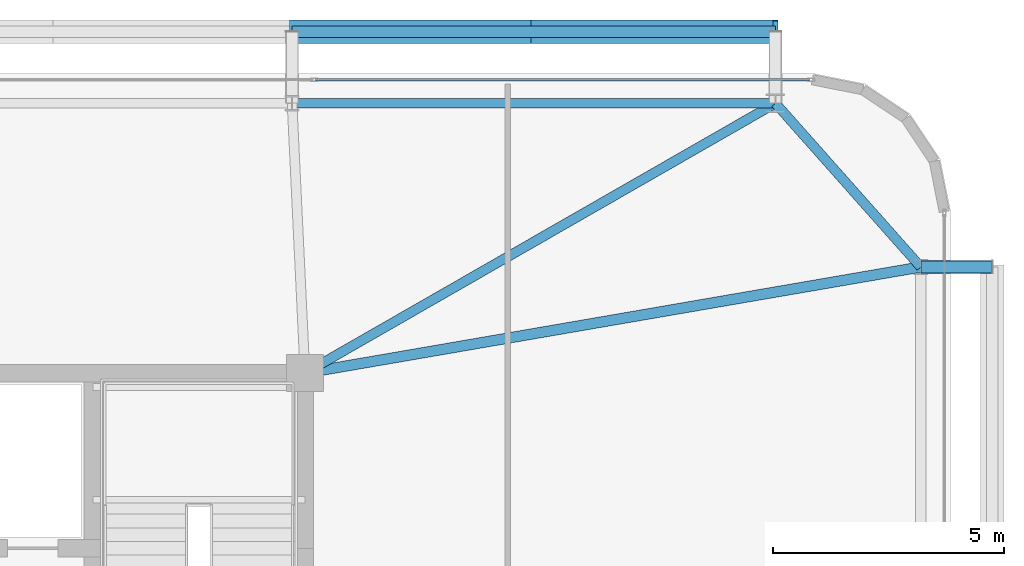
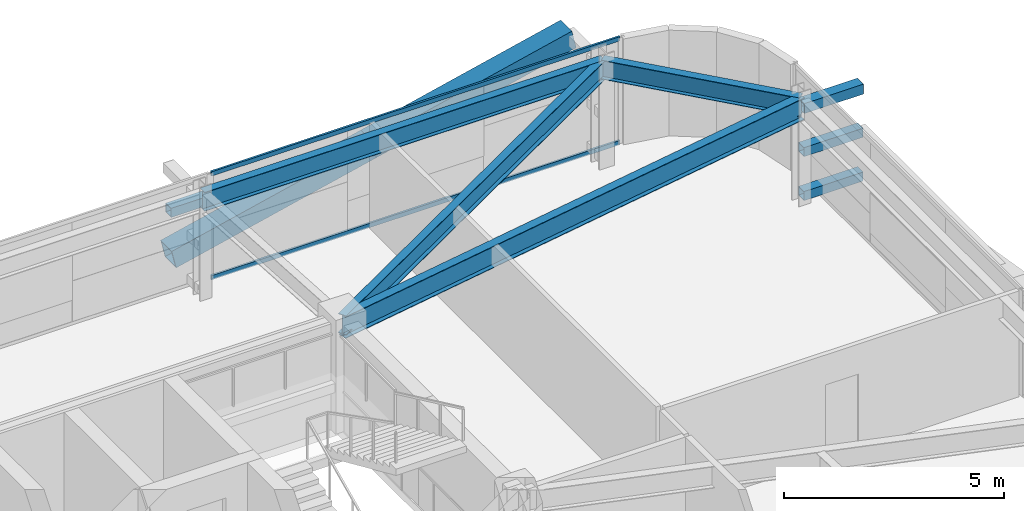
# One storey, part 27 of 44: 8 members, 4 beams, 1 element without a shape of its own.
"""IFC4 building model written with IfcOpenShell, lengths in metres."""

from ifc_helpers import new_model, si_unit, direction, frame, origin, origin_2d, place, context, subcontext, project, spatial, hollow_rectangle, i_section, extrude, source, transform, mapped, material, layer, layer_set, material_profile, profile_set, type_object, element, aggregate, save


model = new_model("IFC4")

# Units and contexts
model_context = context("Model", 3, precision=1e-05, world=origin(), true_north=direction((0.0, 1.0)))
body_context = subcontext(model_context, "Body", "Model", "MODEL_VIEW")
ifc_project = project(units=[si_unit("LENGTHUNIT", "METRE"), si_unit("AREAUNIT", "SQUARE_METRE"), si_unit("VOLUMEUNIT", "CUBIC_METRE"), si_unit("PLANEANGLEUNIT", "RADIAN"), si_unit("MASSUNIT", "GRAM", prefix="KILO")], contexts=[model_context])

# Site, building, storey
site_placement = place(None, origin())
site = spatial("IfcSite", under=ifc_project, at=site_placement, CompositionType="ELEMENT")
building_placement = place(site_placement, origin())
building = spatial("IfcBuilding", under=site, at=building_placement, Name="Taldren Reach Tower", CompositionType="ELEMENT")
storey_placement = place(building_placement, frame((0.0, 0.0, 42.0)))
storey = spatial("IfcBuildingStorey", under=building, at=storey_placement, Name="L12", CompositionType="ELEMENT", Elevation=42.0)

# Beams
ifc_material_1 = material(Name="Steel Gr 350 (350PLUS)", Category="steel")
ifc_material_profile_1 = material_profile(ifc_material_1, i_section(OverallWidth=0.208984375, OverallDepth=0.528076171875, WebThickness=0.009521484375, FlangeThickness=0.01318359375, at=origin_2d()), Name="530UB82.0")
ifc_profile_set_1 = profile_set([ifc_material_profile_1], Name="Steel Gr 350 (350PLUS)")
beam_type_1 = type_object("IfcBeamType", Name="SP-UB530B", PredefinedType="SPANDREL", material=ifc_profile_set_1)
shared_shape_1 = source(origin(), body_context, "Body", "SweptSolid", [
    extrude(i_section(OverallWidth=0.208984375, OverallDepth=0.528076171875, WebThickness=0.009521484375, FlangeThickness=0.01318359375, at=origin_2d()), origin(), (0.0, 0.0, 1.0), 10.47998046875),
])
beam_1_placement = place(storey_placement, frame((61.199951171875, 37.85009765625, 2.666015625), z_axis=(-1.0, 0.0, 0.0), x_axis=(0.0, -1.0, 0.0)))
element("IfcBeam", 1, at=beam_1_placement, inside=storey, type_object=beam_type_1, Name="Perimeter spandrel B1 N6-N5 L12", PredefinedType="SPANDREL", context=body_context, shape_type="MappedRepresentation", body=[
    mapped(shared_shape_1, transform((0.0, 0.0, 0.0), scale=1.0)),
])
shared_shape_2 = source(origin(), body_context, "Body", "SweptSolid", [
    extrude(i_section(OverallWidth=0.208984375, OverallDepth=0.528076171875, WebThickness=0.009521484375, FlangeThickness=0.01318359375, at=origin_2d()), origin(), (0.0, 0.0, 1.0), 4.74609375),
])
beam_2_placement = place(storey_placement, frame((64.35009765625, 34.300048828125, 2.666015625), z_axis=(-0.663721843779, 0.747979487747, 0.0), x_axis=(-0.747979487747, -0.663721843779, 0.0)))
element("IfcBeam", 2, at=beam_2_placement, inside=storey, type_object=beam_type_1, Name="Perimeter spandrel B1 E3-N6 L12", PredefinedType="SPANDREL", context=body_context, shape_type="MappedRepresentation", body=[
    mapped(shared_shape_2, transform((0.0, 0.0, 0.0), scale=1.0)),
])
ifc_material_profile_2 = material_profile(ifc_material_1, i_section(OverallWidth=0.22802734375, OverallDepth=0.60205078125, WebThickness=0.010498046875, FlangeThickness=0.014892578125, at=origin_2d()), Name="610UB101")
ifc_profile_set_2 = profile_set([ifc_material_profile_2], Name="Steel Gr 350 (350PLUS)")
beam_type_2 = type_object("IfcBeamType", Name="BM-UB610B", PredefinedType="BEAM", material=ifc_profile_set_2)
shared_shape_3 = source(origin(), body_context, "Body", "SweptSolid", [
    extrude(i_section(OverallWidth=0.22802734375, OverallDepth=0.60205078125, WebThickness=0.010498046875, FlangeThickness=0.014892578125, at=origin_2d()), origin(), (0.0, 0.0, 1.0), 13.546875),
])
beam_3_placement = place(storey_placement, frame((51.0, 32.0, 2.62890625), z_axis=(0.985481022998, 0.169785609847, 0.0), x_axis=(-0.169785609847, 0.985481022998, 0.0)))
element("IfcBeam", 3, at=beam_3_placement, inside=storey, type_object=beam_type_2, Name="Primary floor girder B1-E3 L12", PredefinedType="BEAM", context=body_context, shape_type="MappedRepresentation", body=[
    mapped(shared_shape_3, transform((0.0, 0.0, 0.0), scale=1.0)),
])
ifc_material_profile_3 = material_profile(ifc_material_1, i_section(OverallWidth=0.208984375, OverallDepth=0.532958984375, WebThickness=0.01025390625, FlangeThickness=0.015625, at=origin_2d()), Name="530UB92.4")
ifc_profile_set_3 = profile_set([ifc_material_profile_3], Name="Steel Gr 350 (350PLUS)")
beam_type_3 = type_object("IfcBeamType", Name="BM-UB530A", PredefinedType="BEAM", material=ifc_profile_set_3)
shared_shape_4 = source(origin(), body_context, "Body", "SweptSolid", [
    extrude(i_section(OverallWidth=0.208984375, OverallDepth=0.532958984375, WebThickness=0.01025390625, FlangeThickness=0.015625, at=origin_2d()), origin(), (0.0, 0.0, 1.0), 11.758544921875),
])
beam_4_placement = place(storey_placement, frame((51.0, 32.0, 2.66357421875), z_axis=(0.867452414141, 0.497520159593, 0.0), x_axis=(-0.497520159593, 0.867452414141, 0.0)))
element("IfcBeam", 4, at=beam_4_placement, inside=storey, type_object=beam_type_3, Name="Primary floor girder B1-N6 L12", PredefinedType="BEAM", context=body_context, shape_type="MappedRepresentation", body=[
    mapped(shared_shape_4, transform((0.0, 0.0, 0.0), scale=1.0)),
])

# Members
ifc_material_2 = material(Name="Steel Gr 450 (C450L0)", Category="steel")
ifc_material_profile_4 = material_profile(ifc_material_2, hollow_rectangle(XDim=0.27490234375, YDim=0.27490234375, WallThickness=0.00927734375, at=origin_2d()), Name="275x275x9.3SHS")
ifc_profile_set_4 = profile_set([ifc_material_profile_4], Name="Steel Gr 450 (C450L0)")
member_type_1 = type_object("IfcMemberType", Name="MB-TIE273", PredefinedType="STRUT", material=ifc_profile_set_4)
shared_shape_5 = source(origin(), body_context, "Body", "SweptSolid", [
    extrude(hollow_rectangle(XDim=0.27490234375, YDim=0.27490234375, WallThickness=0.00927734375, at=origin_2d()), origin(), (0.0, 0.0, 1.0), 1.5498046875),
])
member_1_placement = place(storey_placement, frame((64.35009765625, 34.300048828125, 2.64990234375), z_axis=(1.0, 0.0, 0.0), x_axis=(0.0, 1.0, 0.0)))
element("IfcMember", 5, at=member_1_placement, inside=storey, type_object=member_type_1, Name="Exoskeleton diaphragm tie strut B1-E3 L12", PredefinedType="STRUT", context=body_context, shape_type="MappedRepresentation", body=[
    mapped(shared_shape_5, transform((0.0, 0.0, 0.0), scale=1.0)),
])
ifc_material_profile_5 = material_profile(ifc_material_2, hollow_rectangle(XDim=0.510009765625, YDim=0.510009765625, WallThickness=0.02001953125, at=origin_2d()), Name="510x510x20.0SHS")
ifc_profile_set_5 = profile_set([ifc_material_profile_5], Name="Steel Gr 450 (C450L0)")
member_type_2 = type_object("IfcMemberType", Name="MB-EXO508", PredefinedType="BRACE", material=ifc_profile_set_5)
shared_shape_6 = source(origin(), body_context, "Body", "SweptSolid", [
    extrude(hollow_rectangle(XDim=0.510009765625, YDim=0.510009765625, WallThickness=0.02001953125, at=origin_2d()), origin(), (0.0, 0.0, 1.0), 5.37890625),
])
for number, where, z_axis, x_axis, name in (
    (6, (50.719970703125, 39.39990234375, 0.219970703125), (0.97415197996, 0.0, 0.225893603143), (0.0, 1.0, 0.0), "Exoskeleton Diagrid Brace B1-N5 L12"),
    (7, (55.9599609375, 39.39990234375, 1.43505859375), (0.974161966843, 0.0, 0.225850531007), (0.0, 1.0, 0.0), "Exoskeleton Diagrid Brace B1-N5 L12"),
):
    element("IfcMember", number, at=place(storey_placement, frame(where, z_axis=z_axis, x_axis=x_axis)), inside=storey, type_object=member_type_2, Name=name, PredefinedType="BRACE", context=body_context, shape_type="MappedRepresentation", body=[
        mapped(shared_shape_6, transform((0.0, 0.0, 0.0), scale=1.0)),
    ])
ifc_material_3 = material(Name="Steel Gr 350 (C350L0)", Category="steel")
ifc_material_profile_6 = material_profile(ifc_material_3, hollow_rectangle(XDim=0.25, YDim=0.25, WallThickness=0.010009765625, at=origin_2d()), Name="250x250x10.0SHS")
ifc_profile_set_6 = profile_set([ifc_material_profile_6], Name="Steel Gr 350 (C350L0)")
member_type_3 = type_object("IfcMemberType", Name="MB-POST250", PredefinedType="POST", material=ifc_profile_set_6)
shared_shape_7 = source(origin(), body_context, "Body", "SweptSolid", [
    extrude(hollow_rectangle(XDim=0.25, YDim=0.25, WallThickness=0.010009765625, at=origin_2d()), origin(), (0.0, 0.0, 1.0), 10.47998046875),
])
member_2_placement = place(storey_placement, frame((50.719970703125, 39.39990234375, 1.43505859375), z_axis=(1.0, 0.0, 0.0), x_axis=(0.0, 1.0, 0.0)))
element("IfcMember", 8, at=member_2_placement, inside=storey, type_object=member_type_3, Name="Exoskeleton mid-height ring chord B1-N5 L12", PredefinedType="POST", context=body_context, shape_type="MappedRepresentation", body=[
    mapped(shared_shape_7, transform((0.0, 0.0, 0.0), scale=1.0)),
])
shared_shape_8 = source(origin(), body_context, "Body", "SweptSolid", [
    extrude(hollow_rectangle(XDim=0.25, YDim=0.25, WallThickness=0.010009765625, at=origin_2d()), origin(), (0.0, 0.0, 1.0), 1.5498046875),
])
for number, where, z_axis, x_axis, name in (
    (9, (64.35009765625, 34.300048828125, 0.219970703125), (1.0, 0.0, 0.0), (0.0, 1.0, 0.0), "Exoskeleton base diaphragm tie strut B1-E3 L12"),
    (10, (64.35009765625, 34.300048828125, 1.43505859375), (1.0, 0.0, 0.0), (0.0, 1.0, 0.0), "Exoskeleton mid-tier diaphragm tie B1-E3 L12"),
):
    element("IfcMember", number, at=place(storey_placement, frame(where, z_axis=z_axis, x_axis=x_axis)), inside=storey, type_object=member_type_3, Name=name, PredefinedType="POST", context=body_context, shape_type="MappedRepresentation", body=[
        mapped(shared_shape_8, transform((0.0, 0.0, 0.0), scale=1.0)),
    ])

# Curtain wall, members
ifc_material_4 = material(Name="Aluminium and Low-E Glass Unitised System", Category="aluminium")
ifc_layer = layer(ifc_material_4, 0.159912109375)
ifc_layer_set = layer_set([ifc_layer], Name="Aluminium and Low-E Glass Unitised System")
curtain_wall_type = type_object("IfcCurtainWallType", Name="CW-SYS-2", PredefinedType="NOTDEFINED", material=ifc_layer_set)
curtain_wall_placement = place(storey_placement, origin())
curtain_wall = element("IfcCurtainWall", 11, at=curtain_wall_placement, inside=storey, type_object=curtain_wall_type, Name="Unitised curtain wall CW-L12-N", PredefinedType="NOTDEFINED")
ifc_material_5 = material(Name="Anodised Aluminium 6063-T6", Category="aluminium")
ifc_material_profile_7 = material_profile(ifc_material_5, hollow_rectangle(XDim=0.054931640625, YDim=0.1201171875, WallThickness=0.0029296875, at=origin_2d()), Name="ALU-120x55x3RHS")
ifc_profile_set_7 = profile_set([ifc_material_profile_7], Name="Anodised Aluminium 6063-T6")
member_type_4 = type_object("IfcMemberType", Name="CW-TRN-135", PredefinedType="USERDEFINED", material=ifc_profile_set_7)
shared_shape_9 = source(origin(), body_context, "Body", "SweptSolid", [
    extrude(hollow_rectangle(XDim=0.054931640625, YDim=0.1201171875, WallThickness=0.0029296875, at=origin_2d()), origin(), (0.0, 0.0, 1.0), 10.70263671875),
])
member_3_placement = place(storey_placement, frame((61.93505859375, 38.360107421875, 0.027587890625), z_axis=(-1.0, 0.0, 0.0), x_axis=(0.0, -1.0, 0.0)))
member_3 = element("IfcMember", 12, at=member_3_placement, type_object=member_type_4, Name="CW-2 transom 1.1", ObjectType="TRANSOM", PredefinedType="USERDEFINED", context=body_context, shape_type="MappedRepresentation", body=[
    mapped(shared_shape_9, transform((0.0, 0.0, 0.0), scale=1.0)),
])
member_4_placement = place(storey_placement, frame((61.93505859375, 38.360107421875, 2.902587890625), z_axis=(-1.0, 0.0, 0.0), x_axis=(0.0, -1.0, 0.0)))
member_4 = element("IfcMember", 13, at=member_4_placement, type_object=member_type_4, Name="CW-2 transom 1.2", ObjectType="TRANSOM", PredefinedType="USERDEFINED", context=body_context, shape_type="MappedRepresentation", body=[
    mapped(shared_shape_9, transform((0.0, 0.0, 0.0), scale=1.0)),
])
aggregate(curtain_wall, [member_3, member_4])

save(model, "model.ifc")
